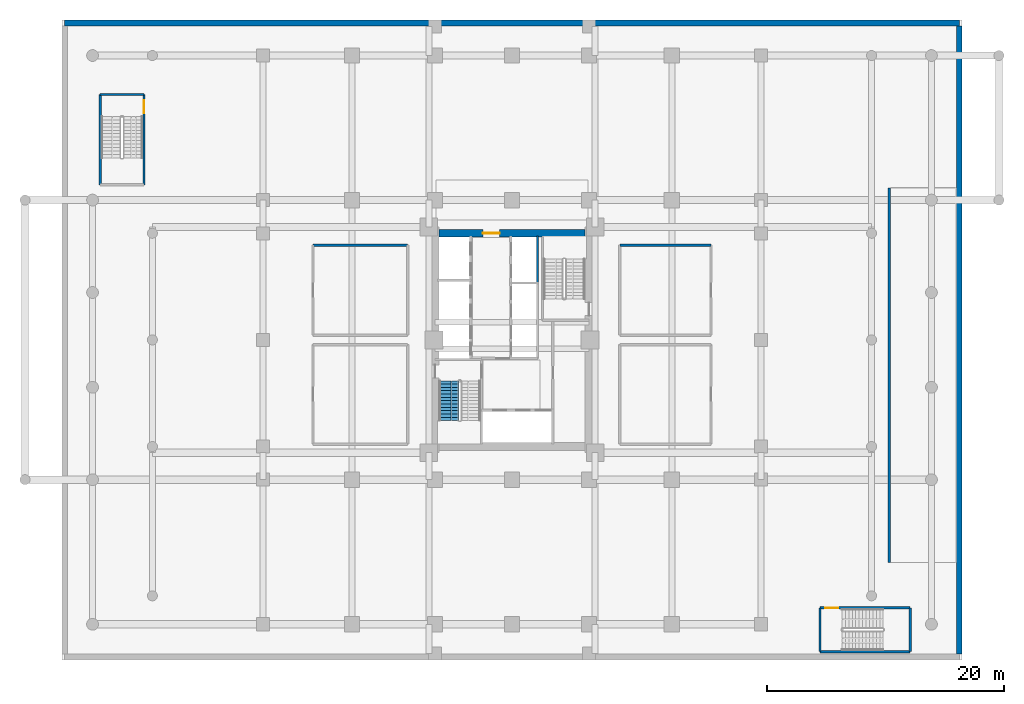
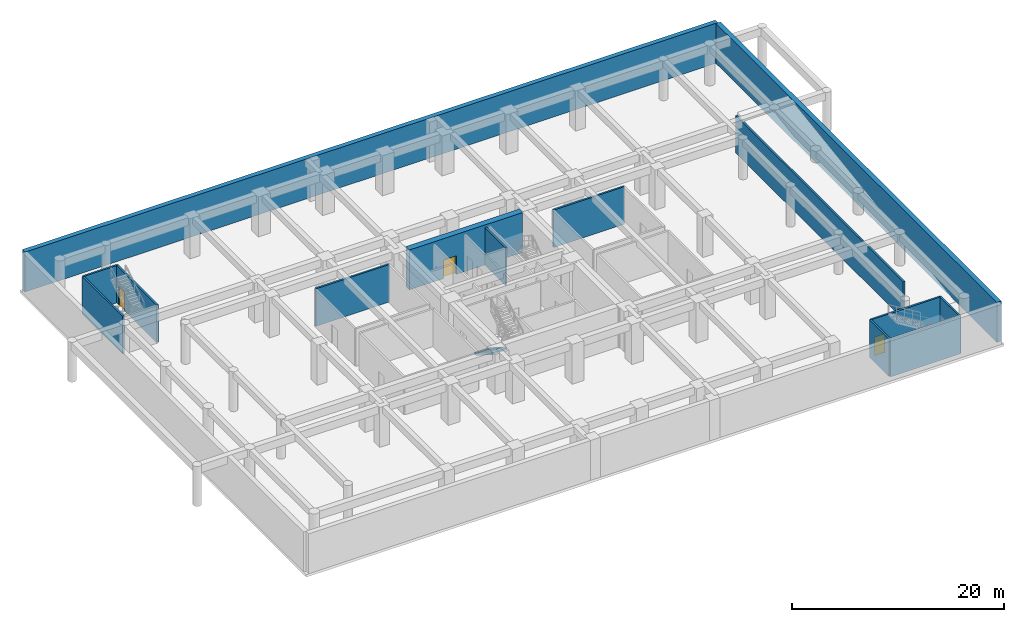
# One storey, part 4 of 12: 14 walls, 3 doors, 1 stair flight, 3 openings, 1 element without a shape of its own.
"""IFC4 building model written with IfcOpenShell, lengths in metres."""

from ifc_helpers import new_model, si_unit, direction, frame, frame_2d, origin, place, context, subcontext, project, spatial, polyline, rectangle, outline, extrude, source, transform, mapped, material, layer, layer_set, type_object, element, fill, aggregate, save


model = new_model("IFC4")

# Units and contexts
model_context = context("Model", 3, precision=1e-05, world=origin(), true_north=direction((0.0, 1.0)))
body_context = subcontext(model_context, "Body", "Model", "MODEL_VIEW")
ifc_project = project(units=[si_unit("LENGTHUNIT", "METRE"), si_unit("AREAUNIT", "SQUARE_METRE"), si_unit("VOLUMEUNIT", "CUBIC_METRE"), si_unit("PLANEANGLEUNIT", "RADIAN"), si_unit("MASSUNIT", "GRAM", prefix="KILO")], contexts=[model_context])

# Site, building, storey
site_placement = place(None, origin())
site = spatial("IfcSite", under=ifc_project, at=site_placement, CompositionType="ELEMENT")
building_placement = place(site_placement, origin())
building = spatial("IfcBuilding", under=site, at=building_placement, Name="Saelheon Loggia Tower", CompositionType="ELEMENT")
storey_placement = place(building_placement, frame((0.0, 0.0, -4.60009765625)))
storey = spatial("IfcBuildingStorey", under=building, at=storey_placement, Name="B1", CompositionType="ELEMENT", Elevation=-4.60009765625)

# Wall, opening, door
ifc_material_1 = material(Name="Concrete C60/75", Category="concrete")
ifc_layer_1 = layer(ifc_material_1, 0.64990234375)
ifc_layer_set_1 = layer_set([ifc_layer_1], Name="Concrete C60/75")
wall_type_1 = type_object("IfcWallType", Name="Wall_CoreShear_650", PredefinedType="SHEAR", material=ifc_layer_set_1)
wall_1_placement = place(storey_placement, frame((31.824951171875, 36.0, 0.0), z_axis=(0.0, 0.0, 1.0), x_axis=(1.0, 0.0, 0.0)))
wall_1 = element("IfcWall", 1, at=wall_1_placement, inside=storey, type_object=wall_type_1, Name="B1 Core Shear Wall North", PredefinedType="SHEAR", context=body_context, shape_type="SweptSolid", body=[
    extrude(rectangle(XDim=12.35009765625, YDim=0.64990234375, at=frame_2d((6.175048828125, 0.0))), origin(), (0.0, 0.0, 1.0), 4.60009765625),
])
opening_1_placement = place(wall_1_placement, frame((5.125, 0.0, 0.0), z_axis=(0.0, 0.0, 1.0), x_axis=(-1.0, 0.0, 0.0)))
opening_1 = element("IfcOpeningElement", 2, at=opening_1_placement, cuts=wall_1, Name="Opening D-FD2L", PredefinedType="OPENING", context=body_context, shape_type="SweptSolid", body=[
    extrude(rectangle(XDim=1.39990234375, YDim=2.14990234375, at=frame_2d((0.699951171875, 1.074951171875))), frame((0.0, 0.3369140625, 0.0), z_axis=(0.0, -1.0, 0.0), x_axis=(1.0, 0.0, 0.0)), (0.0, 0.0, 1.0), 0.673828125),
])
ifc_material_2 = material(Name="Galvanised Steel Glazed Lobby Fire Door", Category="steel")
door_type_1 = type_object("IfcDoorType", Name="Door_Fire_FD60_1400", OperationType="NOTDEFINED", PredefinedType="DOOR", material=ifc_material_2)
shared_shape_1 = source(origin(), body_context, "Body", "SweptSolid", [
    extrude(rectangle(XDim=1.39990234375, YDim=2.14990234375, at=frame_2d((0.699951171875, 1.074951171875))), frame((0.0, 0.02490234375, 0.0), z_axis=(0.0, -1.0, 0.0), x_axis=(1.0, 0.0, 0.0)), (0.0, 0.0, 1.0), 0.050048828125),
])
door_1_placement = place(opening_1_placement, origin())
door_1 = element("IfcDoor", 3, at=door_1_placement, inside=storey, type_object=door_type_1, Name="B1 Passenger Lift Lobby Main Door", OperationType="SINGLE_SWING_RIGHT", OverallHeight=2.14990234375, OverallWidth=1.39990234375, PredefinedType="DOOR", context=body_context, shape_type="MappedRepresentation", body=[
    mapped(shared_shape_1, transform((0.0, 0.0, 0.0), scale=1.0)),
])
fill(opening_1, door_1)

# Walls
ifc_material_3 = material(Name="Concrete C40/50", Category="concrete")
ifc_layer_2 = layer(ifc_material_3, 0.5)
ifc_layer_set_2 = layer_set([ifc_layer_2], Name="Concrete C40/50")
wall_type_2 = type_object("IfcWallType", Name="Wall_Retaining_500", PredefinedType="USERDEFINED", material=ifc_layer_set_2)
wall_2_placement = place(storey_placement, frame((75.75, 0.5, 0.0), z_axis=(0.0, 0.0, 1.0), x_axis=(0.0, 1.0, 0.0)))
element("IfcWall", 4, at=wall_2_placement, inside=storey, type_object=wall_type_2, Name="B1 Basement Retaining Wall E", ObjectType="RETAININGWALL", PredefinedType="USERDEFINED", context=body_context, shape_type="SweptSolid", body=[
    extrude(rectangle(XDim=53.0, YDim=0.5, at=frame_2d((26.5, 0.0))), origin(), (0.0, 0.0, 1.0), 4.60009765625),
])
wall_3_placement = place(storey_placement, frame((75.75, 53.75, 0.0), z_axis=(0.0, 0.0, 1.0), x_axis=(-1.0, 0.0, 0.0)))
element("IfcWall", 5, at=wall_3_placement, inside=storey, type_object=wall_type_2, Name="B1 Basement Retaining Wall N", ObjectType="RETAININGWALL", PredefinedType="USERDEFINED", context=body_context, shape_type="SweptSolid", body=[
    extrude(rectangle(XDim=75.5, YDim=0.5, at=frame_2d((37.75, 0.0))), origin(), (0.0, 0.0, 1.0), 4.60009765625),
])
ifc_layer_3 = layer(ifc_material_3, 0.199951171875)
ifc_layer_set_3 = layer_set([ifc_layer_3], Name="Concrete C40/50")
wall_type_3 = type_object("IfcWallType", Name="Wall_Shaft_200", PredefinedType="PARTITIONING", material=ifc_layer_set_3)
wall_4_placement = place(storey_placement, frame((40.14990234375, 31.800048828125, 0.0), z_axis=(0.0, 0.0, 1.0), x_axis=(0.0, 1.0, 0.0)))
element("IfcWall", 6, at=wall_4_placement, inside=storey, type_object=wall_type_3, Name="B1 East High-Rise Hoistway East Wall", PredefinedType="PARTITIONING", context=body_context, shape_type="SweptSolid", body=[
    extrude(rectangle(XDim=3.97998046875, YDim=0.199951171875, at=frame_2d((1.989990234375, 0.0))), origin(), (0.0, 0.0, 1.0), 4.320068359375),
])
wall_5_placement = place(storey_placement, frame((69.85009765625, 8.199951171875, 0.0), z_axis=(0.0, 0.0, 1.0), x_axis=(0.0, 1.0, 0.0)))
element("IfcWall", 7, at=wall_5_placement, inside=storey, type_object=wall_type_3, Name="B1 Vehicle Ramp Shaft West Wall", PredefinedType="PARTITIONING", context=body_context, shape_type="SweptSolid", body=[
    extrude(rectangle(XDim=31.60009765625, YDim=0.199951171875, at=frame_2d((15.800048828125, 0.0))), origin(), (0.0, 0.0, 1.0), 4.320068359375),
])
wall_6_placement = place(storey_placement, frame((21.199951171875, 35.0, 0.0), z_axis=(0.0, 0.0, 1.0), x_axis=(1.0, 0.0, 0.0)))
element("IfcWall", 8, at=wall_6_placement, inside=storey, type_object=wall_type_3, Name="B1 Emergency Life-Safety Generator Hall North Wall", PredefinedType="PARTITIONING", context=body_context, shape_type="SweptSolid", body=[
    extrude(rectangle(XDim=8.0, YDim=0.199951171875, at=frame_2d((4.0, 0.0))), origin(), (0.0, 0.0, 1.0), 4.320068359375),
])
wall_7_placement = place(storey_placement, frame((47.10009765625, 35.0, 0.0), z_axis=(0.0, 0.0, 1.0), x_axis=(1.0, 0.0, 0.0)))
element("IfcWall", 9, at=wall_7_placement, inside=storey, type_object=wall_type_3, Name="B1 Refuse Compactor and Recycling Marshalling North Wall", PredefinedType="PARTITIONING", context=body_context, shape_type="SweptSolid", body=[
    extrude(rectangle(XDim=7.699951171875, YDim=0.199951171875, at=frame_2d((3.85009765625, 0.0))), origin(), (0.0, 0.0, 1.0), 4.320068359375),
])
ifc_material_4 = material(Name="Concrete C45/55", Category="concrete")
ifc_layer_4 = layer(ifc_material_4, 0.199951171875)
ifc_layer_set_4 = layer_set([ifc_layer_4], Name="Concrete C45/55")
wall_type_4 = type_object("IfcWallType", Name="Wall_StairShaft_RC200", PredefinedType="SOLIDWALL", material=ifc_layer_set_4)
wall_8_placement = place(storey_placement, frame((3.239990234375, 40.090087890625, 0.0), z_axis=(0.0, 0.0, 1.0), x_axis=(0.0, 1.0, 0.0)))
element("IfcWall", 10, at=wall_8_placement, inside=storey, type_object=wall_type_4, Name="B1 ST3 Shaft West Wall", PredefinedType="SOLIDWALL", context=body_context, shape_type="SweptSolid", body=[
    extrude(rectangle(XDim=7.619873046875, YDim=0.199951171875, at=frame_2d((3.81005859375, 0.0))), origin(), (0.0, 0.0, 1.0), 4.320068359375),
])

# Wall, opening, door
wall_9_placement = place(storey_placement, frame((6.93994140625, 40.090087890625, 0.0), z_axis=(0.0, 0.0, 1.0), x_axis=(0.0, 1.0, 0.0)))
wall_9 = element("IfcWall", 11, at=wall_9_placement, inside=storey, type_object=wall_type_4, Name="B1 ST3 Shaft East Wall", PredefinedType="SOLIDWALL", context=body_context, shape_type="SweptSolid", body=[
    extrude(rectangle(XDim=7.619873046875, YDim=0.199951171875, at=frame_2d((3.81005859375, 0.0))), origin(), (0.0, 0.0, 1.0), 4.320068359375),
])
opening_2_placement = place(wall_9_placement, frame((7.150146484375, 0.0, 0.0), z_axis=(0.0, 0.0, 1.0), x_axis=(-1.0, 0.0, 0.0)))
opening_2 = element("IfcOpeningElement", 12, at=opening_2_placement, cuts=wall_9, Name="Opening D-FD2", PredefinedType="OPENING", context=body_context, shape_type="SweptSolid", body=[
    extrude(rectangle(XDim=1.10009765625, YDim=2.14990234375, at=frame_2d((0.550048828125, 1.074951171875))), frame((0.0, 0.112060546875, 0.0), z_axis=(0.0, -1.0, 0.0), x_axis=(1.0, 0.0, 0.0)), (0.0, 0.0, 1.0), 0.223876953125),
])
ifc_material_5 = material(Name="Galvanised Steel Fire Door", Category="steel")
door_type_2 = type_object("IfcDoorType", Name="Door_Fire_FD60_1100", OperationType="NOTDEFINED", PredefinedType="DOOR", material=ifc_material_5)
shared_shape_2 = source(origin(), body_context, "Body", "SweptSolid", [
    extrude(rectangle(XDim=1.10009765625, YDim=2.14990234375, at=frame_2d((0.550048828125, 1.074951171875))), frame((0.0, 0.02490234375, 0.0), z_axis=(0.0, -1.0, 0.0), x_axis=(1.0, 0.0, 0.0)), (0.0, 0.0, 1.0), 0.050048828125),
])
door_2_placement = place(opening_2_placement, origin())
door_2 = element("IfcDoor", 13, at=door_2_placement, inside=storey, type_object=door_type_2, Name="B1 Escape Stair ST3 Door", OperationType="SINGLE_SWING_LEFT", OverallHeight=2.14990234375, OverallWidth=1.10009765625, PredefinedType="DOOR", context=body_context, shape_type="MappedRepresentation", body=[
    mapped(shared_shape_2, transform((0.0, 0.0, 0.0), scale=1.0)),
])
fill(opening_2, door_2)

# Walls
wall_10_placement = place(storey_placement, frame((3.239990234375, 47.7099609375, 0.0), z_axis=(0.0, 0.0, 1.0), x_axis=(1.0, 0.0, 0.0)))
element("IfcWall", 14, at=wall_10_placement, inside=storey, type_object=wall_type_4, Name="B1 ST3 Shaft North Wall", PredefinedType="SOLIDWALL", context=body_context, shape_type="SweptSolid", body=[
    extrude(rectangle(XDim=3.699951171875, YDim=0.199951171875, at=frame_2d((1.85009765625, 0.0))), origin(), (0.0, 0.0, 1.0), 4.320068359375),
])
wall_11_placement = place(storey_placement, frame((63.989990234375, 0.68994140625, 0.0), z_axis=(0.0, 0.0, 1.0), x_axis=(1.0, 0.0, 0.0)))
element("IfcWall", 15, at=wall_11_placement, inside=storey, type_object=wall_type_4, Name="B1 ST4 Shaft South Wall", PredefinedType="SOLIDWALL", context=body_context, shape_type="SweptSolid", body=[
    extrude(rectangle(XDim=7.6201171875, YDim=0.199951171875, at=frame_2d((3.81005859375, 0.0))), origin(), (0.0, 0.0, 1.0), 4.320068359375),
])

# Wall, opening, door
wall_12_placement = place(storey_placement, frame((63.989990234375, 4.389892578125, 0.0), z_axis=(0.0, 0.0, 1.0), x_axis=(1.0, 0.0, 0.0)))
wall_12 = element("IfcWall", 16, at=wall_12_placement, inside=storey, type_object=wall_type_4, Name="B1 ST4 Shaft North Wall", PredefinedType="SOLIDWALL", context=body_context, shape_type="SweptSolid", body=[
    extrude(rectangle(XDim=7.6201171875, YDim=0.199951171875, at=frame_2d((3.81005859375, 0.0))), origin(), (0.0, 0.0, 1.0), 4.320068359375),
])
opening_3_placement = place(wall_12_placement, frame((0.449951171875, 0.0, 0.0)))
opening_3 = element("IfcOpeningElement", 17, at=opening_3_placement, cuts=wall_12, Name="Opening D-FD2", PredefinedType="OPENING", context=body_context, shape_type="SweptSolid", body=[
    extrude(rectangle(XDim=1.10009765625, YDim=2.14990234375, at=frame_2d((0.550048828125, 1.074951171875))), frame((0.0, 0.112060546875, 0.0), z_axis=(0.0, -1.0, 0.0), x_axis=(1.0, 0.0, 0.0)), (0.0, 0.0, 1.0), 0.223876953125),
])
door_3_placement = place(opening_3_placement, origin())
door_3 = element("IfcDoor", 18, at=door_3_placement, inside=storey, type_object=door_type_2, Name="B1 Escape Stair ST4 Door", OperationType="SINGLE_SWING_RIGHT", OverallHeight=2.14990234375, OverallWidth=1.10009765625, PredefinedType="DOOR", context=body_context, shape_type="MappedRepresentation", body=[
    mapped(shared_shape_2, transform((0.0, 0.0, 0.0), scale=1.0)),
])
fill(opening_3, door_3)

# Walls
for number, where, z_axis, x_axis, name in (
    (19, (63.989990234375, 0.68994140625, 0.0), (0.0, 0.0, 1.0), (0.0, 1.0, 0.0), "B1 ST4 Shaft West Wall"),
    (20, (71.610107421875, 0.68994140625, 0.0), (0.0, 0.0, 1.0), (0.0, 1.0, 0.0), "B1 ST4 Shaft East Wall"),
):
    element("IfcWall", number, at=place(storey_placement, frame(where, z_axis=z_axis, x_axis=x_axis)), inside=storey, type_object=wall_type_4, Name=name, PredefinedType="SOLIDWALL", context=body_context, shape_type="SweptSolid", body=[
        extrude(rectangle(XDim=3.699951171875, YDim=0.199951171875, at=frame_2d((1.85009765625, 0.0))), origin(), (0.0, 0.0, 1.0), 4.320068359375),
    ])

# Stair, stair flight
stair_type = type_object("IfcStairType", Name="Stair_Escape_Core", PredefinedType="HALF_TURN_STAIR", material=ifc_material_3)
stair_placement = place(storey_placement, origin())
stair = element("IfcStair", 21, at=stair_placement, inside=storey, type_object=stair_type, Name="B1 Special Escape Stair ST1", PredefinedType="HALF_TURN_STAIR")
stair_flight_type = type_object("IfcStairFlightType", Name="StairFlight_Tower_1660", PredefinedType="STRAIGHT", material=ifc_material_3)
stair_flight_placement = place(storey_placement, frame((32.679931640625, 23.550048828125, 0.0), z_axis=(0.0, 0.0, 1.0), x_axis=(0.0, -1.0, 0.0)))
stair_flight = element("IfcStairFlight", 22, at=stair_flight_placement, type_object=stair_flight_type, Name="ST1 flight 1", NumberOfRisers=13, NumberOfTreads=12, PredefinedType="STRAIGHT", RiserHeight=0.176923077, TreadLength=0.28, context=body_context, shape_type="SweptSolid", body=[
    extrude(outline(polyline([(0.0, 0.0), (0.0, 0.177001953125), (0.280029296875, 0.177001953125), (0.280029296875, 0.353759765625), (0.56005859375, 0.353759765625), (0.56005859375, 0.53076171875), (0.840087890625, 0.53076171875), (0.840087890625, 0.707763671875), (1.1201171875, 0.707763671875), (1.1201171875, 0.884521484375), (1.39990234375, 0.884521484375), (1.39990234375, 1.0615234375), (1.679931640625, 1.0615234375), (1.679931640625, 1.238525390625), (1.9599609375, 1.238525390625), (1.9599609375, 1.415283203125), (2.239990234375, 1.415283203125), (2.239990234375, 1.59228515625), (2.52001953125, 1.59228515625), (2.52001953125, 1.769287109375), (2.800048828125, 1.769287109375), (2.800048828125, 1.946044921875), (3.080078125, 1.946044921875), (3.080078125, 2.123046875), (3.360107421875, 2.123046875), (3.360107421875, 2.300048828125), (3.360107421875, 1.91015625), (0.3369140625, 0.0), (0.0, 0.0)])), frame((0.0, -0.2490234375, 0.0), z_axis=(0.0, -1.0, 0.0), x_axis=(1.0, 0.0, 0.0)), (0.0, 0.0, 1.0), 0.5810546875),
    extrude(outline(polyline([(0.0, 0.0), (0.0, 0.177001953125), (0.280029296875, 0.177001953125), (0.280029296875, 0.353759765625), (0.56005859375, 0.353759765625), (0.56005859375, 0.53076171875), (0.840087890625, 0.53076171875), (0.840087890625, 0.707763671875), (1.1201171875, 0.707763671875), (1.1201171875, 0.884521484375), (1.39990234375, 0.884521484375), (1.39990234375, 1.0615234375), (1.679931640625, 1.0615234375), (1.679931640625, 1.238525390625), (1.9599609375, 1.238525390625), (1.9599609375, 1.415283203125), (2.239990234375, 1.415283203125), (2.239990234375, 1.59228515625), (2.52001953125, 1.59228515625), (2.52001953125, 1.769287109375), (2.800048828125, 1.769287109375), (2.800048828125, 1.946044921875), (3.080078125, 1.946044921875), (3.080078125, 2.123046875), (3.360107421875, 2.123046875), (3.360107421875, 2.300048828125), (3.360107421875, 1.91015625), (0.3369140625, 0.0), (0.0, 0.0)])), frame((0.0, -0.194091796875, 0.0), z_axis=(0.0, -1.0, 0.0), x_axis=(1.0, 0.0, 0.0)), (0.0, 0.0, 1.0), 0.0498046875),
    extrude(outline(polyline([(0.0, 0.0), (0.0, 0.177001953125), (0.280029296875, 0.177001953125), (0.280029296875, 0.353759765625), (0.56005859375, 0.353759765625), (0.56005859375, 0.53076171875), (0.840087890625, 0.53076171875), (0.840087890625, 0.707763671875), (1.1201171875, 0.707763671875), (1.1201171875, 0.884521484375), (1.39990234375, 0.884521484375), (1.39990234375, 1.0615234375), (1.679931640625, 1.0615234375), (1.679931640625, 1.238525390625), (1.9599609375, 1.238525390625), (1.9599609375, 1.415283203125), (2.239990234375, 1.415283203125), (2.239990234375, 1.59228515625), (2.52001953125, 1.59228515625), (2.52001953125, 1.769287109375), (2.800048828125, 1.769287109375), (2.800048828125, 1.946044921875), (3.080078125, 1.946044921875), (3.080078125, 2.123046875), (3.360107421875, 2.123046875), (3.360107421875, 2.300048828125), (3.360107421875, 1.91015625), (0.3369140625, 0.0), (0.0, 0.0)])), frame((0.0, -0.139404296875, 0.0), z_axis=(0.0, -1.0, 0.0), x_axis=(1.0, 0.0, 0.0)), (0.0, 0.0, 1.0), 0.0498046875),
    extrude(outline(polyline([(0.0, 0.0), (0.0, 0.177001953125), (0.280029296875, 0.177001953125), (0.280029296875, 0.353759765625), (0.56005859375, 0.353759765625), (0.56005859375, 0.53076171875), (0.840087890625, 0.53076171875), (0.840087890625, 0.707763671875), (1.1201171875, 0.707763671875), (1.1201171875, 0.884521484375), (1.39990234375, 0.884521484375), (1.39990234375, 1.0615234375), (1.679931640625, 1.0615234375), (1.679931640625, 1.238525390625), (1.9599609375, 1.238525390625), (1.9599609375, 1.415283203125), (2.239990234375, 1.415283203125), (2.239990234375, 1.59228515625), (2.52001953125, 1.59228515625), (2.52001953125, 1.769287109375), (2.800048828125, 1.769287109375), (2.800048828125, 1.946044921875), (3.080078125, 1.946044921875), (3.080078125, 2.123046875), (3.360107421875, 2.123046875), (3.360107421875, 2.300048828125), (3.360107421875, 1.91015625), (0.3369140625, 0.0), (0.0, 0.0)])), frame((0.0, -0.084716796875, 0.0), z_axis=(0.0, -1.0, 0.0), x_axis=(1.0, 0.0, 0.0)), (0.0, 0.0, 1.0), 0.0498046875),
    extrude(outline(polyline([(0.0, 0.0), (0.0, 0.177001953125), (0.280029296875, 0.177001953125), (0.280029296875, 0.353759765625), (0.56005859375, 0.353759765625), (0.56005859375, 0.53076171875), (0.840087890625, 0.53076171875), (0.840087890625, 0.707763671875), (1.1201171875, 0.707763671875), (1.1201171875, 0.884521484375), (1.39990234375, 0.884521484375), (1.39990234375, 1.0615234375), (1.679931640625, 1.0615234375), (1.679931640625, 1.238525390625), (1.9599609375, 1.238525390625), (1.9599609375, 1.415283203125), (2.239990234375, 1.415283203125), (2.239990234375, 1.59228515625), (2.52001953125, 1.59228515625), (2.52001953125, 1.769287109375), (2.800048828125, 1.769287109375), (2.800048828125, 1.946044921875), (3.080078125, 1.946044921875), (3.080078125, 2.123046875), (3.360107421875, 2.123046875), (3.360107421875, 2.300048828125), (3.360107421875, 1.91015625), (0.3369140625, 0.0), (0.0, 0.0)])), frame((0.0, -0.02978515625, 0.0), z_axis=(0.0, -1.0, 0.0), x_axis=(1.0, 0.0, 0.0)), (0.0, 0.0, 1.0), 0.0498046875),
    extrude(outline(polyline([(0.0, 0.0), (0.0, 0.177001953125), (0.280029296875, 0.177001953125), (0.280029296875, 0.353759765625), (0.56005859375, 0.353759765625), (0.56005859375, 0.53076171875), (0.840087890625, 0.53076171875), (0.840087890625, 0.707763671875), (1.1201171875, 0.707763671875), (1.1201171875, 0.884521484375), (1.39990234375, 0.884521484375), (1.39990234375, 1.0615234375), (1.679931640625, 1.0615234375), (1.679931640625, 1.238525390625), (1.9599609375, 1.238525390625), (1.9599609375, 1.415283203125), (2.239990234375, 1.415283203125), (2.239990234375, 1.59228515625), (2.52001953125, 1.59228515625), (2.52001953125, 1.769287109375), (2.800048828125, 1.769287109375), (2.800048828125, 1.946044921875), (3.080078125, 1.946044921875), (3.080078125, 2.123046875), (3.360107421875, 2.123046875), (3.360107421875, 2.300048828125), (3.360107421875, 1.91015625), (0.3369140625, 0.0), (0.0, 0.0)])), frame((0.0, 0.02490234375, 0.0), z_axis=(0.0, -1.0, 0.0), x_axis=(1.0, 0.0, 0.0)), (0.0, 0.0, 1.0), 0.0498046875),
    extrude(outline(polyline([(0.0, 0.0), (0.0, 0.177001953125), (0.280029296875, 0.177001953125), (0.280029296875, 0.353759765625), (0.56005859375, 0.353759765625), (0.56005859375, 0.53076171875), (0.840087890625, 0.53076171875), (0.840087890625, 0.707763671875), (1.1201171875, 0.707763671875), (1.1201171875, 0.884521484375), (1.39990234375, 0.884521484375), (1.39990234375, 1.0615234375), (1.679931640625, 1.0615234375), (1.679931640625, 1.238525390625), (1.9599609375, 1.238525390625), (1.9599609375, 1.415283203125), (2.239990234375, 1.415283203125), (2.239990234375, 1.59228515625), (2.52001953125, 1.59228515625), (2.52001953125, 1.769287109375), (2.800048828125, 1.769287109375), (2.800048828125, 1.946044921875), (3.080078125, 1.946044921875), (3.080078125, 2.123046875), (3.360107421875, 2.123046875), (3.360107421875, 2.300048828125), (3.360107421875, 1.91015625), (0.3369140625, 0.0), (0.0, 0.0)])), frame((0.0, 0.07958984375, 0.0), z_axis=(0.0, -1.0, 0.0), x_axis=(1.0, 0.0, 0.0)), (0.0, 0.0, 1.0), 0.0498046875),
    extrude(outline(polyline([(0.0, 0.0), (0.0, 0.177001953125), (0.280029296875, 0.177001953125), (0.280029296875, 0.353759765625), (0.56005859375, 0.353759765625), (0.56005859375, 0.53076171875), (0.840087890625, 0.53076171875), (0.840087890625, 0.707763671875), (1.1201171875, 0.707763671875), (1.1201171875, 0.884521484375), (1.39990234375, 0.884521484375), (1.39990234375, 1.0615234375), (1.679931640625, 1.0615234375), (1.679931640625, 1.238525390625), (1.9599609375, 1.238525390625), (1.9599609375, 1.415283203125), (2.239990234375, 1.415283203125), (2.239990234375, 1.59228515625), (2.52001953125, 1.59228515625), (2.52001953125, 1.769287109375), (2.800048828125, 1.769287109375), (2.800048828125, 1.946044921875), (3.080078125, 1.946044921875), (3.080078125, 2.123046875), (3.360107421875, 2.123046875), (3.360107421875, 2.300048828125), (3.360107421875, 1.91015625), (0.3369140625, 0.0), (0.0, 0.0)])), frame((0.0, 0.134521484375, 0.0), z_axis=(0.0, -1.0, 0.0), x_axis=(1.0, 0.0, 0.0)), (0.0, 0.0, 1.0), 0.0498046875),
    extrude(outline(polyline([(0.0, 0.0), (0.0, 0.177001953125), (0.280029296875, 0.177001953125), (0.280029296875, 0.353759765625), (0.56005859375, 0.353759765625), (0.56005859375, 0.53076171875), (0.840087890625, 0.53076171875), (0.840087890625, 0.707763671875), (1.1201171875, 0.707763671875), (1.1201171875, 0.884521484375), (1.39990234375, 0.884521484375), (1.39990234375, 1.0615234375), (1.679931640625, 1.0615234375), (1.679931640625, 1.238525390625), (1.9599609375, 1.238525390625), (1.9599609375, 1.415283203125), (2.239990234375, 1.415283203125), (2.239990234375, 1.59228515625), (2.52001953125, 1.59228515625), (2.52001953125, 1.769287109375), (2.800048828125, 1.769287109375), (2.800048828125, 1.946044921875), (3.080078125, 1.946044921875), (3.080078125, 2.123046875), (3.360107421875, 2.123046875), (3.360107421875, 2.300048828125), (3.360107421875, 1.91015625), (0.3369140625, 0.0), (0.0, 0.0)])), frame((0.0, 0.189208984375, 0.0), z_axis=(0.0, -1.0, 0.0), x_axis=(1.0, 0.0, 0.0)), (0.0, 0.0, 1.0), 0.0498046875),
    extrude(outline(polyline([(0.0, 0.0), (0.0, 0.177001953125), (0.280029296875, 0.177001953125), (0.280029296875, 0.353759765625), (0.56005859375, 0.353759765625), (0.56005859375, 0.53076171875), (0.840087890625, 0.53076171875), (0.840087890625, 0.707763671875), (1.1201171875, 0.707763671875), (1.1201171875, 0.884521484375), (1.39990234375, 0.884521484375), (1.39990234375, 1.0615234375), (1.679931640625, 1.0615234375), (1.679931640625, 1.238525390625), (1.9599609375, 1.238525390625), (1.9599609375, 1.415283203125), (2.239990234375, 1.415283203125), (2.239990234375, 1.59228515625), (2.52001953125, 1.59228515625), (2.52001953125, 1.769287109375), (2.800048828125, 1.769287109375), (2.800048828125, 1.946044921875), (3.080078125, 1.946044921875), (3.080078125, 2.123046875), (3.360107421875, 2.123046875), (3.360107421875, 2.300048828125), (3.360107421875, 1.91015625), (0.3369140625, 0.0), (0.0, 0.0)])), frame((0.0, 0.243896484375, 0.0), z_axis=(0.0, -1.0, 0.0), x_axis=(1.0, 0.0, 0.0)), (0.0, 0.0, 1.0), 0.0498046875),
    extrude(outline(polyline([(0.0, 0.0), (0.0, 0.177001953125), (0.280029296875, 0.177001953125), (0.280029296875, 0.353759765625), (0.56005859375, 0.353759765625), (0.56005859375, 0.53076171875), (0.840087890625, 0.53076171875), (0.840087890625, 0.707763671875), (1.1201171875, 0.707763671875), (1.1201171875, 0.884521484375), (1.39990234375, 0.884521484375), (1.39990234375, 1.0615234375), (1.679931640625, 1.0615234375), (1.679931640625, 1.238525390625), (1.9599609375, 1.238525390625), (1.9599609375, 1.415283203125), (2.239990234375, 1.415283203125), (2.239990234375, 1.59228515625), (2.52001953125, 1.59228515625), (2.52001953125, 1.769287109375), (2.800048828125, 1.769287109375), (2.800048828125, 1.946044921875), (3.080078125, 1.946044921875), (3.080078125, 2.123046875), (3.360107421875, 2.123046875), (3.360107421875, 2.300048828125), (3.360107421875, 1.91015625), (0.3369140625, 0.0), (0.0, 0.0)])), frame((0.0, 0.830078125, 0.0), z_axis=(0.0, -1.0, 0.0), x_axis=(1.0, 0.0, 0.0)), (0.0, 0.0, 1.0), 0.5810546875),
])
aggregate(stair, [stair_flight])

save(model, "model.ifc")
